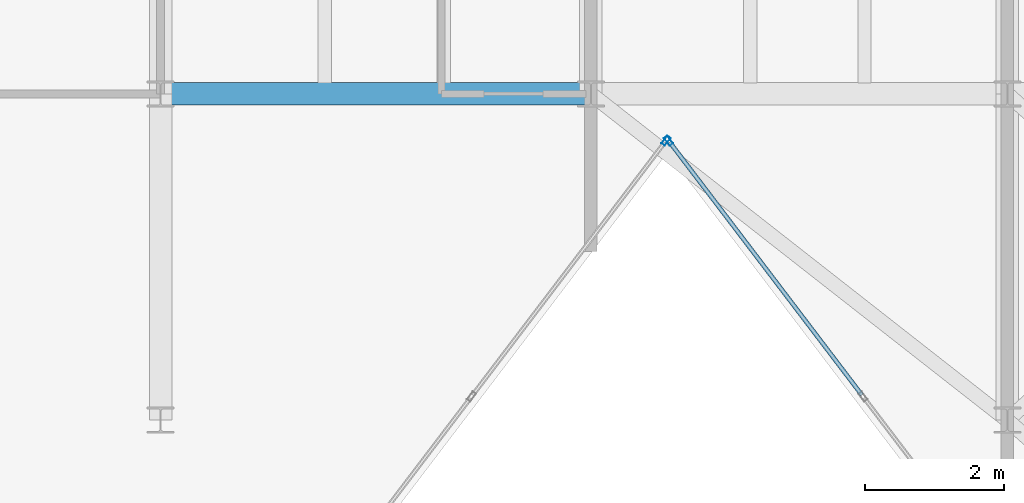
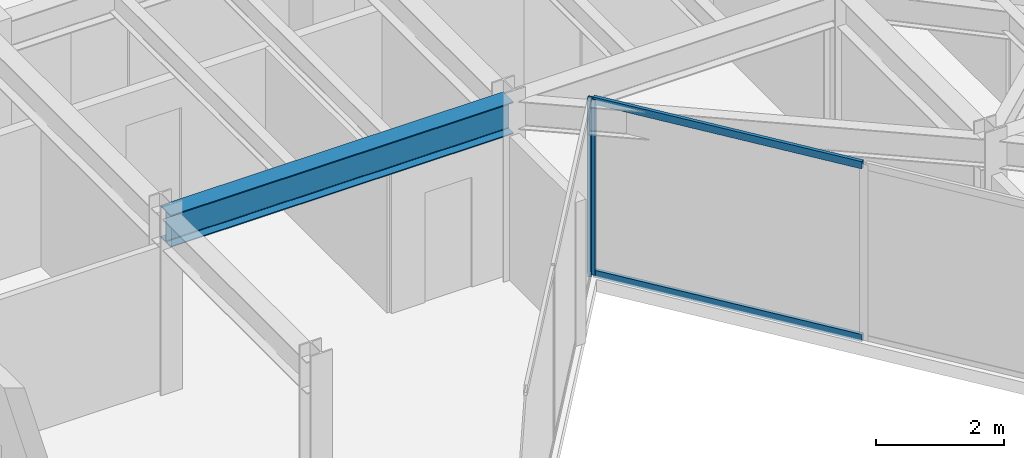
# One storey, part 4 of 16: 4 members, 1 beam, 2 elements without a shape of their own.
"""IFC4 building model written with IfcOpenShell, lengths in metres."""

from ifc_helpers import new_model, si_unit, direction, frame, origin, origin_2d, place, context, subcontext, project, spatial, hollow_rectangle, i_section, extrude, material, layer, layer_set, material_profile, profile_set, type_object, element, aggregate, save


model = new_model("IFC4")

# Units and contexts
model_context = context("Model", 3, precision=1e-05, world=origin(), true_north=direction((0.0, 1.0)))
body_context = subcontext(model_context, "Body", "Model", "MODEL_VIEW")
ifc_project = project(units=[si_unit("LENGTHUNIT", "METRE"), si_unit("AREAUNIT", "SQUARE_METRE"), si_unit("VOLUMEUNIT", "CUBIC_METRE"), si_unit("PLANEANGLEUNIT", "RADIAN"), si_unit("MASSUNIT", "GRAM", prefix="KILO")], contexts=[model_context])

# Site, building, storey
site_placement = place(None, origin())
site = spatial("IfcSite", under=ifc_project, at=site_placement, CompositionType="ELEMENT")
building_placement = place(site_placement, origin())
building = spatial("IfcBuilding", under=site, at=building_placement, Name="Kravanh Interchange Tower", CompositionType="ELEMENT")
storey_placement = place(building_placement, frame((0.0, 0.0, 296.699951171875)))
storey = spatial("IfcBuildingStorey", under=building, at=storey_placement, Name="L73", CompositionType="ELEMENT", Elevation=296.699951171875)

# Curtain wall, member
ifc_material_1 = material(Name="Anodised Bronze Aluminium", Category="aluminium")
ifc_layer = layer(ifc_material_1, 0.179931640625)
ifc_layer_set = layer_set([ifc_layer], Name="Unitised Curtain Wall System CW-HTL Luxury Hotel")
curtain_wall_type = type_object("IfcCurtainWallType", Name="Unitised Curtain Wall System CW-HTL Luxury Hotel", PredefinedType="NOTDEFINED", material=ifc_layer_set)
curtain_wall_1_placement = place(storey_placement, origin())
curtain_wall_1 = element("IfcCurtainWall", 1, at=curtain_wall_1_placement, inside=storey, type_object=curtain_wall_type, Name="L73 Unitised Curtain Wall CW-L73-04", PredefinedType="NOTDEFINED")
ifc_material_2 = material(Name="Anodised Bronze Aluminium", Category="aluminium")
ifc_material_profile_1 = material_profile(ifc_material_2, hollow_rectangle(XDim=0.06005859375, YDim=0.139892578125, WallThickness=0.00390625, at=origin_2d()), Name="ALU60X140X4")
ifc_profile_set_1 = profile_set([ifc_material_profile_1], Name="Anodised Bronze Aluminium")
member_type_1 = type_object("IfcMemberType", Name="Curtain Wall Mullion ALU60X140X4 Bronze", PredefinedType="MULLION", material=ifc_profile_set_1)
member_1_placement = place(storey_placement, frame((45.918212890625, 30.826904296875, 0.0), z_axis=(0.0, 0.0, 1.0), x_axis=(-0.796161642797, -0.605083992962, 0.0)))
member_1 = element("IfcMember", 2, at=member_1_placement, type_object=member_type_1, Name="CW-HTL mullion 4", PredefinedType="MULLION", context=body_context, shape_type="SweptSolid", body=[
    extrude(hollow_rectangle(XDim=0.06005859375, YDim=0.139892578125, WallThickness=0.00390625, at=origin_2d()), origin(), (0.0, 0.0, 1.0), 3.364990234375),
])

curtain_wall_2_placement = place(storey_placement, origin())
curtain_wall_2 = element("IfcCurtainWall", 3, at=curtain_wall_2_placement, inside=storey, type_object=curtain_wall_type, Name="L73 Unitised Curtain Wall CW-L73-05", PredefinedType="NOTDEFINED")
member_2_placement = place(storey_placement, frame((45.8818359375, 30.826904296875, 0.0), z_axis=(0.0, 0.0, 1.0), x_axis=(0.796161642797, -0.605083992962, 0.0)))
member_2 = element("IfcMember", 4, at=member_2_placement, type_object=member_type_1, Name="CW-HTL mullion 1", PredefinedType="MULLION", context=body_context, shape_type="SweptSolid", body=[
    extrude(hollow_rectangle(XDim=0.06005859375, YDim=0.139892578125, WallThickness=0.00390625, at=origin_2d()), origin(), (0.0, 0.0, 1.0), 3.364990234375),
])
aggregate(curtain_wall_2, [member_2])

# Member
ifc_material_3 = material(Name="Anodised Bronze Aluminium", Category="aluminium")
ifc_material_profile_2 = material_profile(ifc_material_3, hollow_rectangle(XDim=0.06005859375, YDim=0.139892578125, WallThickness=0.00390625, at=origin_2d()), Name="ALU60X140X4")
ifc_profile_set_2 = profile_set([ifc_material_profile_2], Name="Anodised Bronze Aluminium")
member_type_2 = type_object("IfcMemberType", Name="Curtain Wall Transom ALU60X140X4 Bronze", PredefinedType="USERDEFINED", material=ifc_profile_set_2)
member_3_placement = place(storey_placement, frame((48.70166015625, 27.16455078125, 0.030029296875), z_axis=(-0.605081913085, 0.796163223502, 0.0), x_axis=(-0.796163223502, -0.605081913085, 0.0)))
member_3 = element("IfcMember", 5, at=member_3_placement, type_object=member_type_2, Name="CW-HTL transom 3.1", ObjectType="TRANSOM", PredefinedType="USERDEFINED", context=body_context, shape_type="SweptSolid", body=[
    extrude(hollow_rectangle(XDim=0.06005859375, YDim=0.139892578125, WallThickness=0.00390625, at=origin_2d()), origin(), (0.0, 0.0, 1.0), 4.5703125),
])

member_4_placement = place(storey_placement, frame((48.70166015625, 27.16455078125, 3.3349609375), z_axis=(-0.605081913085, 0.796163223502, 0.0), x_axis=(-0.796163223502, -0.605081913085, 0.0)))
member_4 = element("IfcMember", 6, at=member_4_placement, type_object=member_type_2, Name="CW-HTL transom 3.2", ObjectType="TRANSOM", PredefinedType="USERDEFINED", context=body_context, shape_type="SweptSolid", body=[
    extrude(hollow_rectangle(XDim=0.06005859375, YDim=0.139892578125, WallThickness=0.00390625, at=origin_2d()), origin(), (0.0, 0.0, 1.0), 4.5703125),
])

aggregate(curtain_wall_1, [member_1, member_3, member_4])

# Beam
ifc_material_4 = material(Name="Structural Steel S355", Category="steel")
ifc_material_profile_3 = material_profile(ifc_material_4, i_section(OverallWidth=0.323974609375, OverallDepth=0.611083984375, WebThickness=0.0126953125, FlangeThickness=0.01904296875, FilletRadius=0.02197265625, at=origin_2d()), Name="W24X104")
ifc_profile_set_3 = profile_set([ifc_material_profile_3], Name="Structural Steel S355")
beam_type = type_object("IfcBeamType", Name="Floor Beam W24X104 Structural Steel S355", PredefinedType="BEAM", material=ifc_profile_set_3)
beam_placement = place(storey_placement, frame((44.800048828125, 31.5, 3.0595703125), z_axis=(-1.0, 0.0, 0.0), x_axis=(0.0, -1.0, 0.0)))
element("IfcBeam", 7, at=beam_placement, inside=storey, type_object=beam_type, Name="L73 Primary Floor Girder 3", PredefinedType="BEAM", context=body_context, shape_type="SweptSolid", body=[
    extrude(i_section(OverallWidth=0.323974609375, OverallDepth=0.611083984375, WebThickness=0.0126953125, FlangeThickness=0.01904296875, FilletRadius=0.02197265625, at=origin_2d()), origin(), (0.0, 0.0, 1.0), 6.199951171875),
])

save(model, "model.ifc")
